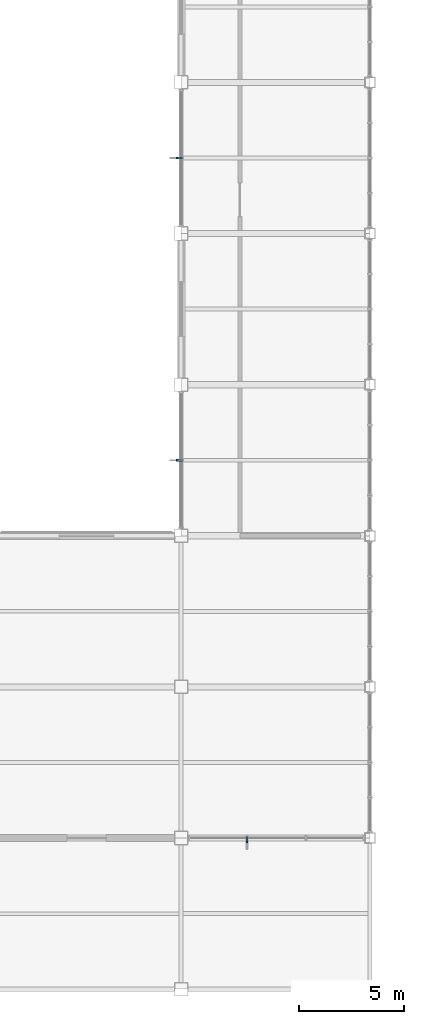
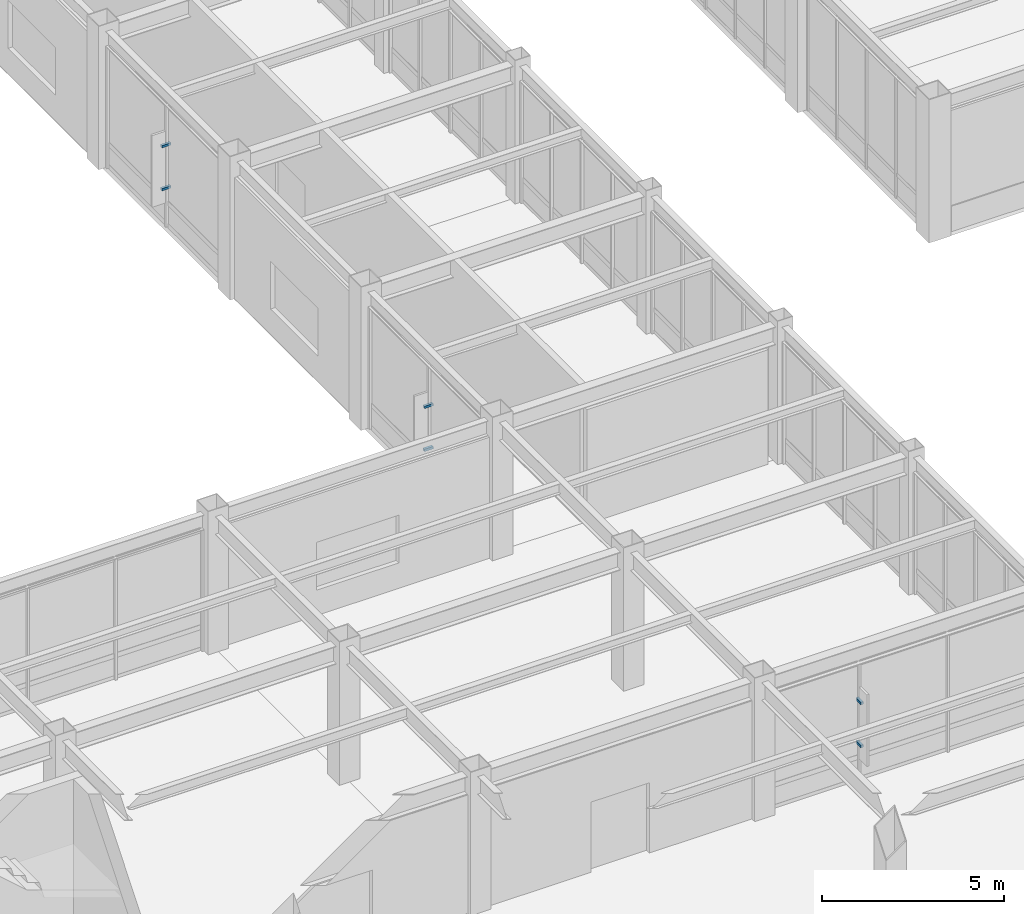
# One storey, part 100 of 112: 6 discrete accessories.
"""IFC4 building model written with IfcOpenShell, lengths in metres."""

from ifc_helpers import new_model, si_unit, direction, frame, origin, origin_2d, place, context, subcontext, project, spatial, rectangle, extrude, material, type_object, element, save


model = new_model("IFC4")

# Units and contexts
model_context = context("Model", 3, precision=1e-05, world=origin(), true_north=direction((0.0, 1.0)))
body_context = subcontext(model_context, "Body", "Model", "MODEL_VIEW")
ifc_project = project(units=[si_unit("LENGTHUNIT", "METRE"), si_unit("AREAUNIT", "SQUARE_METRE"), si_unit("VOLUMEUNIT", "CUBIC_METRE"), si_unit("PLANEANGLEUNIT", "RADIAN"), si_unit("MASSUNIT", "GRAM", prefix="KILO")], contexts=[model_context])

# Site, building, storey
site_placement = place(None, origin())
site = spatial("IfcSite", under=ifc_project, at=site_placement, CompositionType="ELEMENT")
building_placement = place(site_placement, origin())
building = spatial("IfcBuilding", under=site, at=building_placement, Name="Kazanami Central Library", CompositionType="ELEMENT")
storey_placement = place(building_placement, origin())
storey = spatial("IfcBuildingStorey", under=building, at=storey_placement, Name="L01", CompositionType="ELEMENT", Elevation=0.0)

# Discrete accessories
ifc_material = material(Name="Stainless Steel SUS304", Category="steel")
discrete_accessory_type = type_object("IfcDiscreteAccessoryType", Name="ACC-BRK-1", PredefinedType="BRACKET", material=ifc_material)
for number, where, z_axis, x_axis, name in (
    (1, (102.13330078125, 21.510009765625, 1.217529296875), (0.0, 0.0, 1.0), (1.0, 0.0, 0.0), "Solar Fin Outrigger Bracket L01 S-D-11.1.1"),
    (2, (102.13330078125, 21.510009765625, 2.657470703125), (0.0, 0.0, 1.0), (1.0, 0.0, 0.0), "Solar Fin Outrigger Bracket L01 S-D-11.1.2"),
    (3, (98.909912109375, 39.60009765625, 1.267578125), (0.0, 0.0, 1.0), (0.0, 1.0, 0.0), "Solar Fin Outrigger Bracket L01 W-12-05.1.1"),
    (4, (98.909912109375, 39.60009765625, 2.70751953125), (0.0, 0.0, 1.0), (0.0, 1.0, 0.0), "Solar Fin Outrigger Bracket L01 W-12-05.1.2"),
    (5, (98.909912109375, 54.0, 1.267578125), (0.0, 0.0, 1.0), (0.0, 1.0, 0.0), "Solar Fin Outrigger Bracket L01 W-12-07.1.1"),
    (6, (98.909912109375, 54.0, 2.70751953125), (0.0, 0.0, 1.0), (0.0, 1.0, 0.0), "Solar Fin Outrigger Bracket L01 W-12-07.1.2"),
):
    element("IfcDiscreteAccessory", number, at=place(storey_placement, frame(where, z_axis=z_axis, x_axis=x_axis)), inside=storey, type_object=discrete_accessory_type, Name=name, PredefinedType="BRACKET", context=body_context, shape_type="SweptSolid", body=[
        extrude(rectangle(XDim=0.080078125, YDim=0.280029296875, at=origin_2d()), origin(), (0.0, 0.0, 1.0), 0.080078125),
    ])

save(model, "model.ifc")
